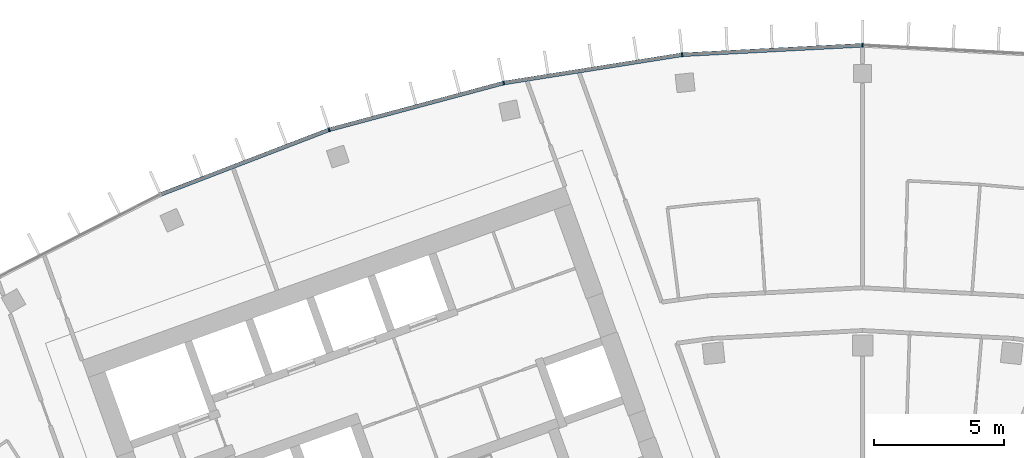
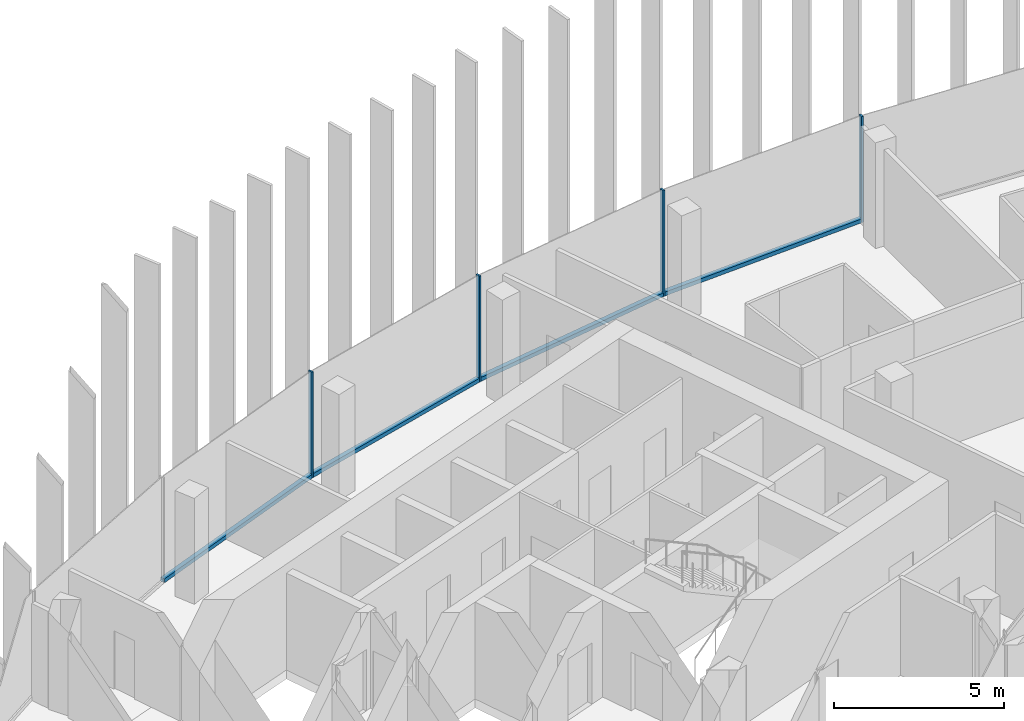
# One storey, part 6 of 19: 8 members, 1 element without a shape of its own.
"""IFC4 building model written with IfcOpenShell, lengths in metres."""

import ifcopenshell
import ifcopenshell.guid

model = None  # the IFC model being written
_history = None  # IfcOwnerHistory: only IFC2X3 demands one
_inside = {}  # id of a spatial element -> (the spatial element, [elements in it])
_under = {}  # id of a project, library or spatial element -> (it, [spatial elements below it])
_declared = {}  # id of a project -> (the project, [libraries it declares])
_typed = {}  # id of a type object -> (the type object, [elements of that type])
_made_of = {}  # id of a material, layer set ... -> (it, [elements and type objects made of it])


def new_model(schema):
    """Start an empty IFC model of exactly this schema.

    Asked for "IFC4X3", IfcOpenShell would pick the latest addendum, in which some entities
    have other attributes; the version numbers below select the first issue.
    IFC2X3 requires an IfcOwnerHistory on every rooted entity: one is made here for all.
    """
    global model, _history
    if schema == "IFC4X3":
        model = ifcopenshell.file(schema_version=(4, 3, 0, 0))
    else:
        model = ifcopenshell.file(schema=schema)
    _inside.clear()
    _under.clear()
    _declared.clear()
    _typed.clear()
    _made_of.clear()
    _history = None
    if model.schema == "IFC2X3":
        org = make("IfcOrganization", Name="unknown")
        user = make(
            "IfcPersonAndOrganization",
            ThePerson=make("IfcPerson", FamilyName="unknown"),
            TheOrganization=org,
        )
        app = make(
            "IfcApplication",
            ApplicationDeveloper=org,
            Version="unknown",
            ApplicationFullName="unknown",
            ApplicationIdentifier="unknown",
        )
        _history = make(
            "IfcOwnerHistory",
            OwningUser=user,
            OwningApplication=app,
            ChangeAction="ADDED",
            CreationDate=0,
        )
    return model


def make(cls, **values):
    """One entity of the class cls with the attributes given. An attribute that is None is left unset."""
    return model.create_entity(
        cls, **{name: value for name, value in values.items() if value is not None}
    )


def rooted(cls, **values):
    """An entity with a GlobalId (a new one), such as an element, a storey or a relation."""
    return make(cls, GlobalId=ifcopenshell.guid.new(), OwnerHistory=_history, **values)


def si_unit(unit_type, name, prefix=None):
    """IfcSIUnit, for example si_unit("LENGTHUNIT", "METRE", prefix="MILLI")."""
    return make("IfcSIUnit", UnitType=unit_type, Prefix=prefix, Name=name)


def assignment(units):
    """IfcUnitAssignment: the units of a project."""
    return None if units is None else make("IfcUnitAssignment", Units=units)


def point(xyz):
    """IfcCartesianPoint."""
    return None if xyz is None else make("IfcCartesianPoint", Coordinates=xyz)


def direction(xyz):
    """IfcDirection."""
    return None if xyz is None else make("IfcDirection", DirectionRatios=xyz)


def frame(location, z_axis=None, x_axis=None):
    """IfcAxis2Placement3D, a coordinate frame: its origin and axes. An axis left out is left unset."""
    return make(
        "IfcAxis2Placement3D",
        Location=point(location),
        Axis=direction(z_axis),
        RefDirection=direction(x_axis),
    )


def frame_2d(location, x_axis=None):
    """IfcAxis2Placement2D, a coordinate frame in the plane: its origin and x axis."""
    return make(
        "IfcAxis2Placement2D", Location=point(location), RefDirection=direction(x_axis)
    )


def origin():
    """The frame at (0, 0, 0) with its axes left unset."""
    return frame((0.0, 0.0, 0.0))


def origin_2d():
    """The frame at (0, 0) in the plane with its x axis left unset."""
    return frame_2d((0.0, 0.0))


def place(relative_to, where):
    """IfcLocalPlacement: puts the frame where relative to a parent placement (None: the world)."""
    return make(
        "IfcLocalPlacement", PlacementRelTo=relative_to, RelativePlacement=where
    )


def context(
    kind, dimensions, precision=None, world=None, true_north=None, identifier=None
):
    """IfcGeometricRepresentationContext, for example the 3D "Model" context."""
    return make(
        "IfcGeometricRepresentationContext",
        ContextIdentifier=identifier,
        ContextType=kind,
        CoordinateSpaceDimension=dimensions,
        Precision=precision,
        WorldCoordinateSystem=world,
        TrueNorth=true_north,
    )


def subcontext(parent, identifier, kind, view, scale=None):
    """IfcGeometricRepresentationSubContext, for example "Body" below "Model"."""
    return make(
        "IfcGeometricRepresentationSubContext",
        ContextIdentifier=identifier,
        ContextType=kind,
        ParentContext=parent,
        TargetScale=scale,
        TargetView=view,
    )


def project(units=None, contexts=None):
    """IfcProject with its units and contexts."""
    return rooted(
        "IfcProject",
        Name="project",
        RepresentationContexts=contexts,
        UnitsInContext=assignment(units),
    )


def spatial(cls, under=None, at=None, **own):
    """A site, building, storey or space (cls), placed at a placement, below another one or the project."""
    s = rooted(cls, ObjectPlacement=at, **own)
    if under is not None:
        _under.setdefault(under.id(), (under, []))[1].append(s)
    return s


def profile(cls, at=None, kind="AREA", **sizes):
    """A parametric profile (cls). Its sizes go by their IFC names, for example OverallWidth=200.0."""
    return make(cls, ProfileType=kind, Position=at, **sizes)


def rectangle(**sizes):
    """IfcRectangleProfileDef."""
    return profile("IfcRectangleProfileDef", **sizes)


def extrude(swept, where, along, depth):
    """IfcExtrudedAreaSolid: the profile swept, set in the frame where, extruded along a direction by depth."""
    return make(
        "IfcExtrudedAreaSolid",
        SweptArea=swept,
        Position=where,
        ExtrudedDirection=direction(along),
        Depth=depth,
    )


def shape(context_of_items, identifier, shape_type, items):
    """IfcShapeRepresentation: the items that make up one representation, for example the "Body"."""
    return make(
        "IfcShapeRepresentation",
        ContextOfItems=context_of_items,
        RepresentationIdentifier=identifier,
        RepresentationType=shape_type,
        Items=items,
    )


def material(Name=None, Category=None):
    """IfcMaterial."""
    return make("IfcMaterial", Name=Name, Category=Category)


def layer(
    of_material, thickness, ventilated=None, Name=None, Category=None, Priority=None
):
    """IfcMaterialLayer: one layer of a wall or slab, of a material (None: an air gap)."""
    return make(
        "IfcMaterialLayer",
        Material=of_material,
        LayerThickness=thickness,
        IsVentilated=ventilated,
        Name=Name,
        Category=Category,
        Priority=Priority,
    )


def layer_set(layers, Name=None):
    """IfcMaterialLayerSet."""
    return make("IfcMaterialLayerSet", MaterialLayers=layers, LayerSetName=Name)


def material_profile(
    of_material, cross_section, Name=None, Category=None, Priority=None
):
    """IfcMaterialProfile: a cross section and its material."""
    return make(
        "IfcMaterialProfile",
        Name=Name,
        Material=of_material,
        Profile=cross_section,
        Priority=Priority,
        Category=Category,
    )


def profile_set(profiles, Name=None, composite=None):
    """IfcMaterialProfileSet."""
    return make(
        "IfcMaterialProfileSet",
        Name=Name,
        MaterialProfiles=profiles,
        CompositeProfile=composite,
    )


def made_of(thing, what):
    """Note that an element or type object is made of a material, layer set ...; save() writes the relation."""
    if what is not None:
        _made_of.setdefault(what.id(), (what, []))[1].append(thing)
    return thing


def type_object(cls, material=None, **own):
    """A type object (cls), such as IfcWallType, which elements share."""
    return made_of(rooted(cls, **own), material)


def element(
    cls,
    number,
    at=None,
    inside=None,
    cuts=None,
    type_object=None,
    material=None,
    context=None,
    identifier="Body",
    shape_type=None,
    held_by="IfcProductDefinitionShape",
    body=None,
    shapes=None,
    **own,
):
    """One element of the class cls, such as IfcWall. Its Tag is "e" and its number.

    at: its placement. inside: the storey or other place that contains it. cuts: it is an
    opening in that element (IfcRelVoidsElement). A single representation is given by context,
    identifier, shape_type and body (its items); several are given by shapes. held_by: the class
    of the entity that holds the representations. save() writes the other relations.
    """
    e = rooted(cls, Tag="e%d" % number, ObjectPlacement=at, **own)
    if body is not None:
        shapes = [shape(context, identifier, shape_type, body)]
    if shapes is not None:
        e.Representation = make(held_by, Representations=shapes)
    if inside is not None:
        _inside.setdefault(inside.id(), (inside, []))[1].append(e)
    if cuts is not None:
        rooted(
            "IfcRelVoidsElement", RelatingBuildingElement=cuts, RelatedOpeningElement=e
        )
    if type_object is not None:
        _typed.setdefault(type_object.id(), (type_object, []))[1].append(e)
    return made_of(e, material)


def aggregate(whole, parts):
    """IfcRelAggregates: a whole, such as a stair, and the parts it consists of."""
    return rooted("IfcRelAggregates", RelatingObject=whole, RelatedObjects=parts)


def save(model, path):
    """Write the relations noted so far, then the file.

    IfcRelAggregates (storeys below a building ...), IfcRelContainedInSpatialStructure (elements
    in a storey), IfcRelDefinesByType, IfcRelAssociatesMaterial and IfcRelDeclares: one each for
    every whole, place, type object, material and project.
    """
    for whole, parts in _under.values():
        aggregate(whole, parts)
    for where, things in _inside.values():
        rooted(
            "IfcRelContainedInSpatialStructure",
            RelatedElements=things,
            RelatingStructure=where,
        )
    for kind, things in _typed.values():
        rooted("IfcRelDefinesByType", RelatedObjects=things, RelatingType=kind)
    for what, things in _made_of.values():
        rooted("IfcRelAssociatesMaterial", RelatedObjects=things, RelatingMaterial=what)
    for by, libraries in _declared.values():
        rooted("IfcRelDeclares", RelatingContext=by, RelatedDefinitions=libraries)
    model.write(path)


model = new_model("IFC4")

# Units and contexts
model_context = context("Model", 3, precision=1e-05, world=origin(), true_north=direction((0.0, 1.0)))
body_context = subcontext(model_context, "Body", "Model", "MODEL_VIEW")
ifc_project = project(units=[si_unit("LENGTHUNIT", "METRE"), si_unit("AREAUNIT", "SQUARE_METRE"), si_unit("VOLUMEUNIT", "CUBIC_METRE"), si_unit("PLANEANGLEUNIT", "RADIAN"), si_unit("MASSUNIT", "GRAM", prefix="KILO")], contexts=[model_context])

# Site, building, storey
site_placement = place(None, origin())
site = spatial("IfcSite", under=ifc_project, at=site_placement, CompositionType="ELEMENT")
building_placement = place(site_placement, origin())
building = spatial("IfcBuilding", under=site, at=building_placement, Name="Stone Belt Terrace Tower", CompositionType="ELEMENT")
storey_placement = place(building_placement, frame((0.0, 0.0, 280.800048828125)))
storey = spatial("IfcBuildingStorey", under=building, at=storey_placement, Name="L68", CompositionType="ELEMENT", Elevation=280.800048828125)

# Curtain wall, members
ifc_material = material(Name="Aluminium 6063-T6 anodised frame", Category="aluminium")
ifc_layer = layer(ifc_material, 0.14990234375)
ifc_layer_set = layer_set([ifc_layer], Name="CW-A unitised convex-face curtain wall")
curtain_wall_type = type_object("IfcCurtainWallType", Name="CW-A unitised convex-face curtain wall", PredefinedType="NOTDEFINED", material=ifc_layer_set)
curtain_wall_placement = place(storey_placement, origin())
curtain_wall = element("IfcCurtainWall", 1, at=curtain_wall_placement, inside=storey, type_object=curtain_wall_type, Name="CW-A convex face L68", PredefinedType="NOTDEFINED")
ifc_material_profile_1 = material_profile(ifc_material, rectangle(XDim=0.14990234375, YDim=0.06005859375, at=origin_2d()), Name="Aluminium 6063-T6 60x150")
ifc_profile_set_1 = profile_set([ifc_material_profile_1], Name="Aluminium 6063-T6 anodised frame")
member_type_1 = type_object("IfcMemberType", Name="CW-A mullion 60 x 150", PredefinedType="MULLION", material=ifc_profile_set_1)
member_1_placement = place(storey_placement, frame((0.0, 66.5751953125, 0.0), z_axis=(0.0, 0.0, 1.0), x_axis=(0.0, -1.0, 0.0)))
member_1 = element("IfcMember", 2, at=member_1_placement, type_object=member_type_1, Name="CW-A mullion 8", PredefinedType="MULLION", context=body_context, shape_type="SweptSolid", body=[
    extrude(rectangle(XDim=0.14990234375, YDim=0.06005859375, at=origin_2d()), origin(), (0.0, 0.0, 1.0), 3.800048828125),
])
member_2_placement = place(storey_placement, frame((-6.958984375, 66.21044921875, 0.0), z_axis=(0.0, 0.0, 1.0), x_axis=(0.104528463268, -0.994521895368, 0.0)))
member_2 = element("IfcMember", 3, at=member_2_placement, type_object=member_type_1, Name="CW-A mullion 9", PredefinedType="MULLION", context=body_context, shape_type="SweptSolid", body=[
    extrude(rectangle(XDim=0.14990234375, YDim=0.06005859375, at=origin_2d()), origin(), (0.0, 0.0, 1.0), 3.800048828125),
])
member_3_placement = place(storey_placement, frame((-13.841796875, 65.120361328125, 0.0), z_axis=(0.0, 0.0, 1.0), x_axis=(0.207911690818, -0.978147600734, 0.0)))
member_3 = element("IfcMember", 4, at=member_3_placement, type_object=member_type_1, Name="CW-A mullion 10", PredefinedType="MULLION", context=body_context, shape_type="SweptSolid", body=[
    extrude(rectangle(XDim=0.14990234375, YDim=0.06005859375, at=origin_2d()), origin(), (0.0, 0.0, 1.0), 3.800048828125),
])
member_4_placement = place(storey_placement, frame((-20.57275390625, 63.316650390625, 0.0), z_axis=(0.0, 0.0, 1.0), x_axis=(0.309016994375, -0.951056516295, 0.0)))
member_4 = element("IfcMember", 5, at=member_4_placement, type_object=member_type_1, Name="CW-A mullion 11", PredefinedType="MULLION", context=body_context, shape_type="SweptSolid", body=[
    extrude(rectangle(XDim=0.14990234375, YDim=0.06005859375, at=origin_2d()), origin(), (0.0, 0.0, 1.0), 3.800048828125),
])
ifc_material_profile_2 = material_profile(ifc_material, rectangle(XDim=0.14990234375, YDim=0.139892578125, at=origin_2d()), Name="Aluminium 6063-T6 150x140")
ifc_profile_set_2 = profile_set([ifc_material_profile_2], Name="Aluminium 6063-T6 anodised frame")
member_type_2 = type_object("IfcMemberType", Name="CW-A transom 140 x 150", PredefinedType="USERDEFINED", material=ifc_profile_set_2)
member_5_placement = place(storey_placement, frame((-0.033935546875, 66.5732421875, 0.070068359375), z_axis=(-0.998630019135, -0.052326712899, 0.0), x_axis=(0.052326712899, -0.998630019135, 0.0)))
member_5 = element("IfcMember", 6, at=member_5_placement, type_object=member_type_2, Name="CW-A transom 8.1", ObjectType="TRANSOM", PredefinedType="USERDEFINED", context=body_context, shape_type="SweptSolid", body=[
    extrude(rectangle(XDim=0.14990234375, YDim=0.139892578125, at=origin_2d()), origin(), (0.0, 0.0, 1.0), 6.900634765625),
])
member_6_placement = place(storey_placement, frame((-6.992431640625, 66.205078125, 0.070068359375), z_axis=(-0.987687120531, -0.156442168027, 0.0), x_axis=(0.156442168027, -0.987687120531, 0.0)))
member_6 = element("IfcMember", 7, at=member_6_placement, type_object=member_type_2, Name="CW-A transom 9.1", ObjectType="TRANSOM", PredefinedType="USERDEFINED", context=body_context, shape_type="SweptSolid", body=[
    extrude(rectangle(XDim=0.14990234375, YDim=0.139892578125, at=origin_2d()), origin(), (0.0, 0.0, 1.0), 6.90087890625),
])
member_7_placement = place(storey_placement, frame((-13.87451171875, 65.111572265625, 0.070068359375), z_axis=(-0.965921835863, -0.258833937117, 0.0), x_axis=(0.258833937117, -0.965921835863, 0.0)))
member_7 = element("IfcMember", 8, at=member_7_placement, type_object=member_type_2, Name="CW-A transom 10.1", ObjectType="TRANSOM", PredefinedType="USERDEFINED", context=body_context, shape_type="SweptSolid", body=[
    extrude(rectangle(XDim=0.14990234375, YDim=0.139892578125, at=origin_2d()), origin(), (0.0, 0.0, 1.0), 6.900634765625),
])
member_8_placement = place(storey_placement, frame((-20.6044921875, 63.304443359375, 0.070068359375), z_axis=(-0.933585210269, -0.358355487146, 0.0), x_axis=(0.358355487146, -0.933585210269, 0.0)))
member_8 = element("IfcMember", 9, at=member_8_placement, type_object=member_type_2, Name="CW-A transom 11.1", ObjectType="TRANSOM", PredefinedType="USERDEFINED", context=body_context, shape_type="SweptSolid", body=[
    extrude(rectangle(XDim=0.14990234375, YDim=0.139892578125, at=origin_2d()), origin(), (0.0, 0.0, 1.0), 6.900634765625),
])
aggregate(curtain_wall, [member_1, member_2, member_3, member_4, member_5, member_6, member_7, member_8])

save(model, "model.ifc")
